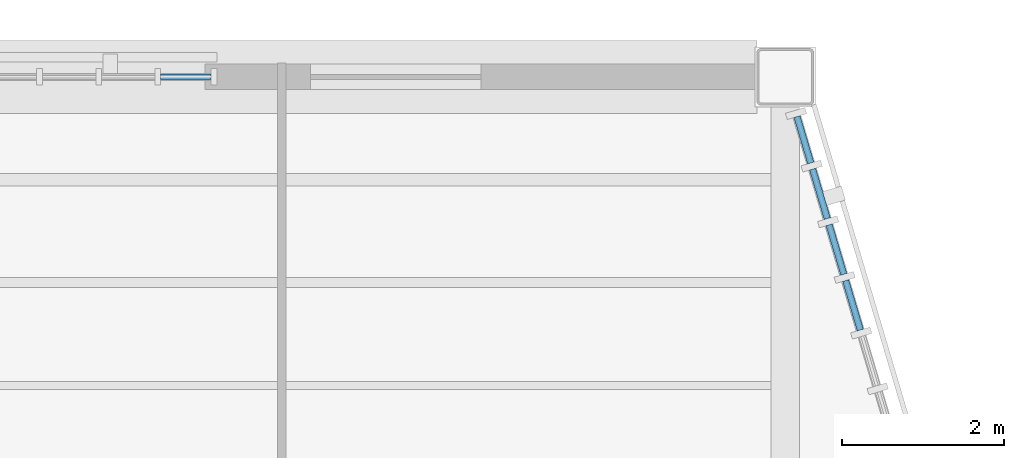
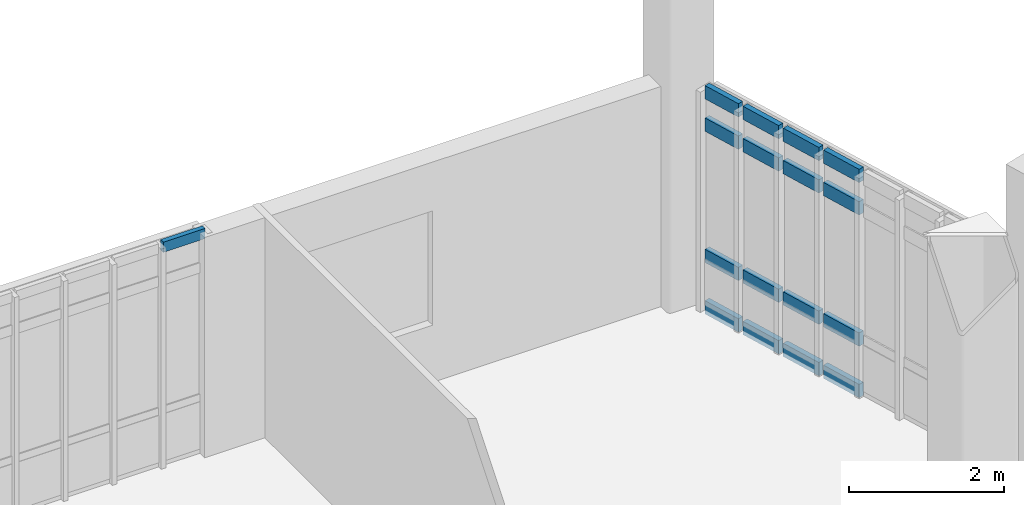
# One storey, part 67 of 127: 17 members, 2 elements without a shape of their own.
"""IFC4 building model written with IfcOpenShell, lengths in metres."""

from ifc_helpers import new_model, si_unit, direction, frame, origin, origin_2d, place, context, subcontext, project, spatial, rectangle, extrude, material, material_profile, profile_set, type_object, element, aggregate, save


model = new_model("IFC4")

# Units and contexts
model_context = context("Model", 3, precision=1e-05, world=origin(), true_north=direction((0.0, 1.0)))
body_context = subcontext(model_context, "Body", "Model", "MODEL_VIEW")
ifc_project = project(units=[si_unit("LENGTHUNIT", "METRE"), si_unit("AREAUNIT", "SQUARE_METRE"), si_unit("VOLUMEUNIT", "CUBIC_METRE"), si_unit("PLANEANGLEUNIT", "RADIAN"), si_unit("MASSUNIT", "GRAM", prefix="KILO")], contexts=[model_context])

# Site, building, storey
site_placement = place(None, origin())
site = spatial("IfcSite", under=ifc_project, at=site_placement, CompositionType="ELEMENT")
building_placement = place(site_placement, origin())
building = spatial("IfcBuilding", under=site, at=building_placement, Name="Larkvane Passage Sports Hall", CompositionType="ELEMENT")
storey_placement = place(building_placement, frame((0.0, 0.0, 5.39990234375)))
storey = spatial("IfcBuildingStorey", under=building, at=storey_placement, Name="L01", CompositionType="ELEMENT", Elevation=5.39990234375)

# Curtain wall, member
ifc_material_1 = material(Name="Thermally broken aluminium and low-E glazing", Category="aluminium")
curtain_wall_type_1 = type_object("IfcCurtainWallType", Name="CW-UNIT-VEIL", PredefinedType="USERDEFINED", material=ifc_material_1)
curtain_wall_1_placement = place(storey_placement, origin())
curtain_wall_1 = element("IfcCurtainWall", 1, at=curtain_wall_1_placement, inside=storey, type_object=curtain_wall_type_1, Name="Curtain wall CW5-L01-053", ObjectType="UNITISED CURTAIN WALL", PredefinedType="USERDEFINED")
ifc_material_2 = material(Name="Anodised aluminium 6063-T6", Category="aluminium")
ifc_material_profile_1 = material_profile(ifc_material_2, rectangle(XDim=0.070068359375, YDim=0.159912109375, at=origin_2d()), Name="ALU-TRN-70x160")
ifc_profile_set_1 = profile_set([ifc_material_profile_1], Name="Anodised aluminium 6063-T6")
member_type_1 = type_object("IfcMemberType", Name="CW-TRN-70x160", PredefinedType="USERDEFINED", material=ifc_profile_set_1)
member_1_placement = place(storey_placement, frame((137.90673828125, 99.199951171875, 3.43310546875), z_axis=(1.0, 0.0, 0.0), x_axis=(0.0, 1.0, 0.0)))
member_1 = element("IfcMember", 2, at=member_1_placement, type_object=member_type_1, Name="CW-02 transom 9.4", ObjectType="TRANSOM", PredefinedType="USERDEFINED", context=body_context, shape_type="SweptSolid", body=[
    extrude(rectangle(XDim=0.070068359375, YDim=0.159912109375, at=origin_2d()), origin(), (0.0, 0.0, 1.0), 0.623291015625),
])
aggregate(curtain_wall_1, [member_1])

# Curtain wall, members
curtain_wall_type_2 = type_object("IfcCurtainWallType", Name="CW-STICK-FOYER", PredefinedType="USERDEFINED", material=ifc_material_1)
curtain_wall_2_placement = place(storey_placement, origin())
curtain_wall_2 = element("IfcCurtainWall", 3, at=curtain_wall_2_placement, inside=storey, type_object=curtain_wall_type_2, Name="Curtain wall CW5-L01-054", ObjectType="STICK CURTAIN WALL", PredefinedType="USERDEFINED")
ifc_material_profile_2 = material_profile(ifc_material_2, rectangle(XDim=0.080078125, YDim=0.2099609375, at=origin_2d()), Name="ALU-TRN-80x210")
ifc_profile_set_2 = profile_set([ifc_material_profile_2], Name="Anodised aluminium 6063-T6")
member_type_2 = type_object("IfcMemberType", Name="CW-TRN-80x210", PredefinedType="USERDEFINED", material=ifc_profile_set_2)
member_2_placement = place(storey_placement, frame((145.745361328125, 98.7099609375, 0.0400390625), z_axis=(0.284186065026, -0.958769148672, 0.0), x_axis=(0.958769148672, 0.284186065026, 0.0)))
member_2 = element("IfcMember", 4, at=member_2_placement, type_object=member_type_2, Name="CW-03 transom 1.1", ObjectType="TRANSOM", PredefinedType="USERDEFINED", context=body_context, shape_type="SweptSolid", body=[
    extrude(rectangle(XDim=0.080078125, YDim=0.2099609375, at=origin_2d()), origin(), (0.0, 0.0, 1.0), 0.595458984375),
])
member_3_placement = place(storey_placement, frame((145.745361328125, 98.7099609375, 0.85009765625), z_axis=(0.284186065026, -0.958769148672, 0.0), x_axis=(0.958769148672, 0.284186065026, 0.0)))
member_3 = element("IfcMember", 5, at=member_3_placement, type_object=member_type_2, Name="CW-03 transom 1.2", ObjectType="TRANSOM", PredefinedType="USERDEFINED", context=body_context, shape_type="SweptSolid", body=[
    extrude(rectangle(XDim=0.080078125, YDim=0.2099609375, at=origin_2d()), origin(), (0.0, 0.0, 1.0), 0.595458984375),
])
member_4_placement = place(storey_placement, frame((145.745361328125, 98.7099609375, 2.918212890625), z_axis=(0.284186065026, -0.958769148672, 0.0), x_axis=(0.958769148672, 0.284186065026, 0.0)))
member_4 = element("IfcMember", 6, at=member_4_placement, type_object=member_type_2, Name="CW-03 transom 1.3", ObjectType="TRANSOM", PredefinedType="USERDEFINED", context=body_context, shape_type="SweptSolid", body=[
    extrude(rectangle(XDim=0.080078125, YDim=0.2099609375, at=origin_2d()), origin(), (0.0, 0.0, 1.0), 0.595458984375),
])
member_5_placement = place(storey_placement, frame((145.745361328125, 98.7099609375, 3.427978515625), z_axis=(0.284186065026, -0.958769148672, 0.0), x_axis=(0.958769148672, 0.284186065026, 0.0)))
member_5 = element("IfcMember", 7, at=member_5_placement, type_object=member_type_2, Name="CW-03 transom 1.4", ObjectType="TRANSOM", PredefinedType="USERDEFINED", context=body_context, shape_type="SweptSolid", body=[
    extrude(rectangle(XDim=0.080078125, YDim=0.2099609375, at=origin_2d()), origin(), (0.0, 0.0, 1.0), 0.595458984375),
])
member_6_placement = place(storey_placement, frame((145.9375, 98.0625, 0.0400390625), z_axis=(0.284349981956, -0.958720547272, 0.0), x_axis=(0.958720547272, 0.284349981956, 0.0)))
member_6 = element("IfcMember", 8, at=member_6_placement, type_object=member_type_2, Name="CW-03 transom 2.1", ObjectType="TRANSOM", PredefinedType="USERDEFINED", context=body_context, shape_type="SweptSolid", body=[
    extrude(rectangle(XDim=0.080078125, YDim=0.2099609375, at=origin_2d()), origin(), (0.0, 0.0, 1.0), 0.63525390625),
])
member_7_placement = place(storey_placement, frame((145.9375, 98.0625, 0.85009765625), z_axis=(0.284349981956, -0.958720547272, 0.0), x_axis=(0.958720547272, 0.284349981956, 0.0)))
member_7 = element("IfcMember", 9, at=member_7_placement, type_object=member_type_2, Name="CW-03 transom 2.2", ObjectType="TRANSOM", PredefinedType="USERDEFINED", context=body_context, shape_type="SweptSolid", body=[
    extrude(rectangle(XDim=0.080078125, YDim=0.2099609375, at=origin_2d()), origin(), (0.0, 0.0, 1.0), 0.63525390625),
])
member_8_placement = place(storey_placement, frame((145.9375, 98.0625, 2.918212890625), z_axis=(0.284349981956, -0.958720547272, 0.0), x_axis=(0.958720547272, 0.284349981956, 0.0)))
member_8 = element("IfcMember", 10, at=member_8_placement, type_object=member_type_2, Name="CW-03 transom 2.3", ObjectType="TRANSOM", PredefinedType="USERDEFINED", context=body_context, shape_type="SweptSolid", body=[
    extrude(rectangle(XDim=0.080078125, YDim=0.2099609375, at=origin_2d()), origin(), (0.0, 0.0, 1.0), 0.63525390625),
])
member_9_placement = place(storey_placement, frame((145.9375, 98.0625, 3.427978515625), z_axis=(0.284349981956, -0.958720547272, 0.0), x_axis=(0.958720547272, 0.284349981956, 0.0)))
member_9 = element("IfcMember", 11, at=member_9_placement, type_object=member_type_2, Name="CW-03 transom 2.4", ObjectType="TRANSOM", PredefinedType="USERDEFINED", context=body_context, shape_type="SweptSolid", body=[
    extrude(rectangle(XDim=0.080078125, YDim=0.2099609375, at=origin_2d()), origin(), (0.0, 0.0, 1.0), 0.63525390625),
])
member_10_placement = place(storey_placement, frame((146.140869140625, 97.376708984375, 0.0400390625), z_axis=(0.284349981956, -0.958720547272, 0.0), x_axis=(0.958720547272, 0.284349981956, 0.0)))
member_10 = element("IfcMember", 12, at=member_10_placement, type_object=member_type_2, Name="CW-03 transom 3.1", ObjectType="TRANSOM", PredefinedType="USERDEFINED", context=body_context, shape_type="SweptSolid", body=[
    extrude(rectangle(XDim=0.080078125, YDim=0.2099609375, at=origin_2d()), origin(), (0.0, 0.0, 1.0), 0.63525390625),
])
member_11_placement = place(storey_placement, frame((146.140869140625, 97.376708984375, 0.85009765625), z_axis=(0.284349981956, -0.958720547272, 0.0), x_axis=(0.958720547272, 0.284349981956, 0.0)))
member_11 = element("IfcMember", 13, at=member_11_placement, type_object=member_type_2, Name="CW-03 transom 3.2", ObjectType="TRANSOM", PredefinedType="USERDEFINED", context=body_context, shape_type="SweptSolid", body=[
    extrude(rectangle(XDim=0.080078125, YDim=0.2099609375, at=origin_2d()), origin(), (0.0, 0.0, 1.0), 0.63525390625),
])
member_12_placement = place(storey_placement, frame((146.140869140625, 97.376708984375, 2.918212890625), z_axis=(0.284349981956, -0.958720547272, 0.0), x_axis=(0.958720547272, 0.284349981956, 0.0)))
member_12 = element("IfcMember", 14, at=member_12_placement, type_object=member_type_2, Name="CW-03 transom 3.3", ObjectType="TRANSOM", PredefinedType="USERDEFINED", context=body_context, shape_type="SweptSolid", body=[
    extrude(rectangle(XDim=0.080078125, YDim=0.2099609375, at=origin_2d()), origin(), (0.0, 0.0, 1.0), 0.63525390625),
])
member_13_placement = place(storey_placement, frame((146.140869140625, 97.376708984375, 3.427978515625), z_axis=(0.284349981956, -0.958720547272, 0.0), x_axis=(0.958720547272, 0.284349981956, 0.0)))
member_13 = element("IfcMember", 15, at=member_13_placement, type_object=member_type_2, Name="CW-03 transom 3.4", ObjectType="TRANSOM", PredefinedType="USERDEFINED", context=body_context, shape_type="SweptSolid", body=[
    extrude(rectangle(XDim=0.080078125, YDim=0.2099609375, at=origin_2d()), origin(), (0.0, 0.0, 1.0), 0.63525390625),
])
member_14_placement = place(storey_placement, frame((146.34423828125, 96.69091796875, 0.0400390625), z_axis=(0.284349981956, -0.958720547272, 0.0), x_axis=(0.958720547272, 0.284349981956, 0.0)))
member_14 = element("IfcMember", 16, at=member_14_placement, type_object=member_type_2, Name="CW-03 transom 4.1", ObjectType="TRANSOM", PredefinedType="USERDEFINED", context=body_context, shape_type="SweptSolid", body=[
    extrude(rectangle(XDim=0.080078125, YDim=0.2099609375, at=origin_2d()), origin(), (0.0, 0.0, 1.0), 0.63525390625),
])
member_15_placement = place(storey_placement, frame((146.34423828125, 96.69091796875, 0.85009765625), z_axis=(0.284349981956, -0.958720547272, 0.0), x_axis=(0.958720547272, 0.284349981956, 0.0)))
member_15 = element("IfcMember", 17, at=member_15_placement, type_object=member_type_2, Name="CW-03 transom 4.2", ObjectType="TRANSOM", PredefinedType="USERDEFINED", context=body_context, shape_type="SweptSolid", body=[
    extrude(rectangle(XDim=0.080078125, YDim=0.2099609375, at=origin_2d()), origin(), (0.0, 0.0, 1.0), 0.63525390625),
])
member_16_placement = place(storey_placement, frame((146.34423828125, 96.69091796875, 2.918212890625), z_axis=(0.284349981956, -0.958720547272, 0.0), x_axis=(0.958720547272, 0.284349981956, 0.0)))
member_16 = element("IfcMember", 18, at=member_16_placement, type_object=member_type_2, Name="CW-03 transom 4.3", ObjectType="TRANSOM", PredefinedType="USERDEFINED", context=body_context, shape_type="SweptSolid", body=[
    extrude(rectangle(XDim=0.080078125, YDim=0.2099609375, at=origin_2d()), origin(), (0.0, 0.0, 1.0), 0.63525390625),
])
member_17_placement = place(storey_placement, frame((146.34423828125, 96.69091796875, 3.427978515625), z_axis=(0.284349981956, -0.958720547272, 0.0), x_axis=(0.958720547272, 0.284349981956, 0.0)))
member_17 = element("IfcMember", 19, at=member_17_placement, type_object=member_type_2, Name="CW-03 transom 4.4", ObjectType="TRANSOM", PredefinedType="USERDEFINED", context=body_context, shape_type="SweptSolid", body=[
    extrude(rectangle(XDim=0.080078125, YDim=0.2099609375, at=origin_2d()), origin(), (0.0, 0.0, 1.0), 0.63525390625),
])
aggregate(curtain_wall_2, [member_2, member_3, member_4, member_5, member_6, member_7, member_8, member_9, member_10, member_11, member_12, member_13, member_14, member_15, member_16, member_17])

save(model, "model.ifc")
